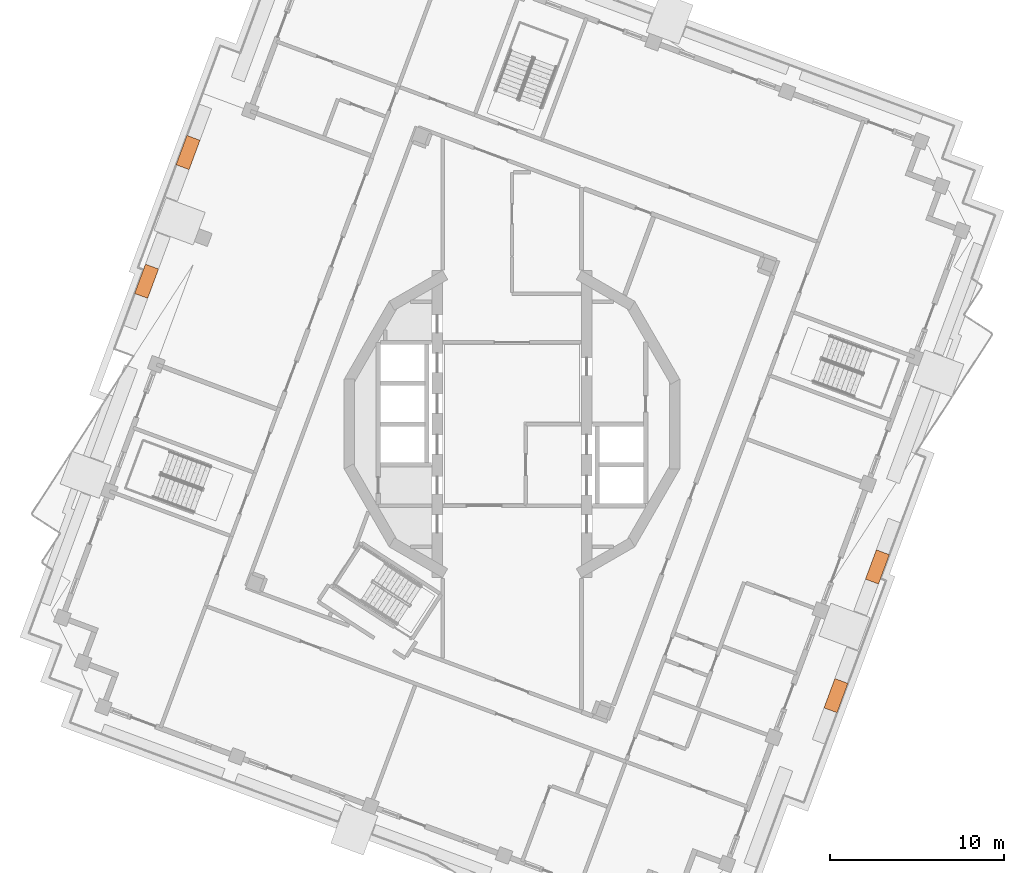
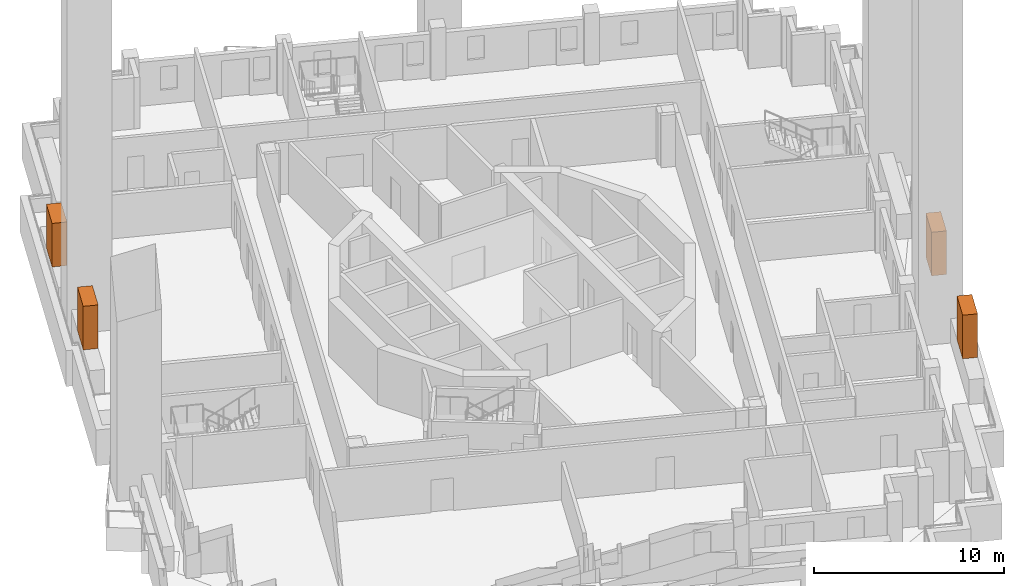
# One storey, part 20 of 20: 4 proxies.
"""IFC4 building model written with IfcOpenShell, lengths in metres."""

from ifc_helpers import new_model, si_unit, direction, frame, origin, origin_2d, place, context, subcontext, project, spatial, rectangle, extrude, element, save


model = new_model("IFC4")

# Units and contexts
model_context = context("Model", 3, precision=1e-05, world=origin(), true_north=direction((0.0, 1.0)))
body_context = subcontext(model_context, "Body", "Model", "MODEL_VIEW")
ifc_project = project(units=[si_unit("LENGTHUNIT", "METRE"), si_unit("AREAUNIT", "SQUARE_METRE"), si_unit("VOLUMEUNIT", "CUBIC_METRE"), si_unit("PLANEANGLEUNIT", "RADIAN"), si_unit("MASSUNIT", "GRAM", prefix="KILO")], contexts=[model_context])

# Site, building, storey
site_placement = place(None, origin())
site = spatial("IfcSite", under=ifc_project, at=site_placement, CompositionType="ELEMENT")
building_placement = place(site_placement, origin())
building = spatial("IfcBuilding", under=site, at=building_placement, Name="Cantera Rosa Tower", CompositionType="ELEMENT")
storey_placement = place(building_placement, frame((0.0, 0.0, 306.10009765625)))
storey = spatial("IfcBuildingStorey", under=building, at=storey_placement, Name="L67", CompositionType="ELEMENT", Elevation=306.10009765625)

# Proxies
for number, where, z_axis, x_axis, name in (
    (1, (-18.65380859375, 15.63623046875, 1.60009765625), (0.0, 0.0, 1.0), (-0.347481234489, -0.937686936924, 0.0), "TREE L67-06"),
    (2, (-21.041015625, 8.223876953125, 1.60009765625), (0.0, 0.0, 1.0), (-0.347481234489, -0.937686936924, 0.0), "TREE L67-07"),
    (3, (18.65380859375, -15.63623046875, 1.60009765625), (0.0, 0.0, 1.0), (0.347481234489, 0.937686936924, 0.0), "TREE L67-15"),
    (4, (21.041015625, -8.223876953125, 1.60009765625), (0.0, 0.0, 1.0), (0.347481234489, 0.937686936924, 0.0), "TREE L67-16"),
):
    element("IfcBuildingElementProxy", number, at=place(storey_placement, frame(where, z_axis=z_axis, x_axis=x_axis)), inside=storey, Name=name, ObjectType="TREE", PredefinedType="USERDEFINED", context=body_context, shape_type="SweptSolid", body=[
        extrude(rectangle(XDim=1.800048828125, YDim=0.800048828125, at=origin_2d()), origin(), (0.0, 0.0, 1.0), 2.800048828125),
    ])

save(model, "model.ifc")
